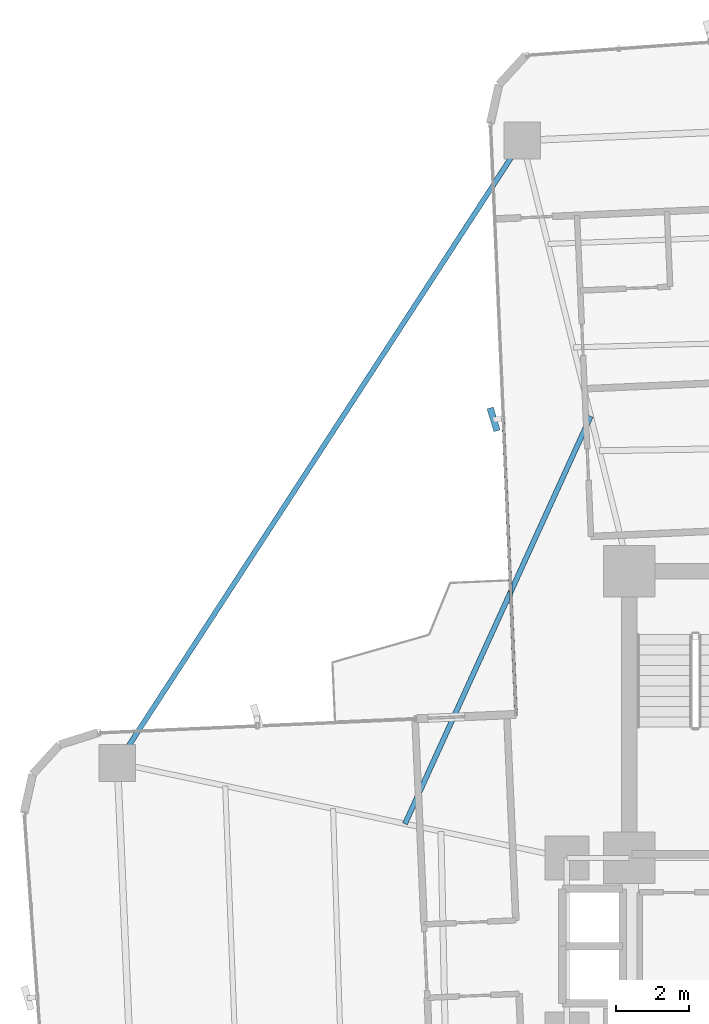
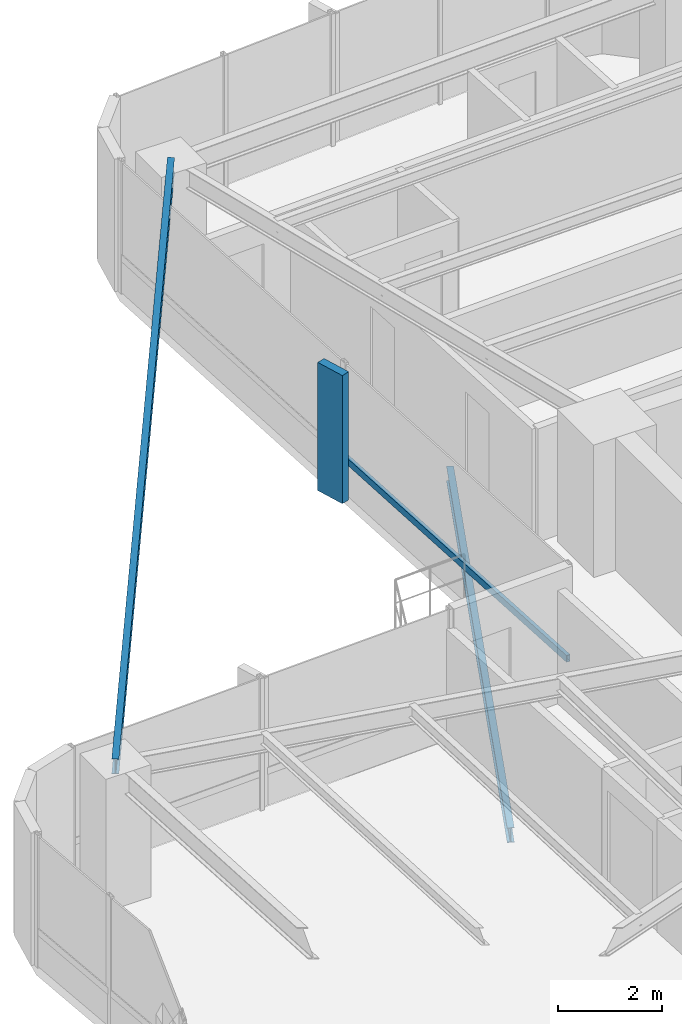
# One storey, part 16 of 26: 2 beams, 2 members, 1 element without a shape of its own.
"""IFC4 building model written with IfcOpenShell, lengths in metres."""

from ifc_helpers import new_model, si_unit, direction, frame, origin, origin_2d, place, context, subcontext, project, spatial, rectangle, hollow_rectangle, i_section, extrude, source, transform, mapped, material, material_profile, profile_set, type_object, element, aggregate, save


model = new_model("IFC4")

# Units and contexts
model_context = context("Model", 3, precision=1e-05, world=origin(), true_north=direction((0.0, 1.0)))
body_context = subcontext(model_context, "Body", "Model", "MODEL_VIEW")
ifc_project = project(units=[si_unit("LENGTHUNIT", "METRE"), si_unit("AREAUNIT", "SQUARE_METRE"), si_unit("VOLUMEUNIT", "CUBIC_METRE"), si_unit("PLANEANGLEUNIT", "RADIAN"), si_unit("MASSUNIT", "GRAM", prefix="KILO")], contexts=[model_context])

# Site, building, storey
site_placement = place(None, origin())
site = spatial("IfcSite", under=ifc_project, at=site_placement, CompositionType="ELEMENT")
building_placement = place(site_placement, origin())
building = spatial("IfcBuilding", under=site, at=building_placement, Name="Sahyath Konkavel Grand Hotel", CompositionType="ELEMENT")
storey_placement = place(building_placement, frame((0.0, 0.0, 118.14990234375)))
storey = spatial("IfcBuildingStorey", under=building, at=storey_placement, Name="L32", CompositionType="ELEMENT", Elevation=118.14990234375)

# Beam
ifc_material_1 = material(Name="Steel E350", Category="steel")
ifc_material_profile_1 = material_profile(ifc_material_1, i_section(OverallWidth=0.139892578125, OverallDepth=0.35009765625, WebThickness=0.008056640625, FlangeThickness=0.01416015625, FilletRadius=0.013916015625, at=origin_2d()), Name="ISMB 350")
ifc_profile_set_1 = profile_set([ifc_material_profile_1], Name="Steel E350")
beam_type_1 = type_object("IfcBeamType", Name="BM-ISMB350", PredefinedType="BEAM", material=ifc_profile_set_1)
shared_shape_1 = source(origin(), body_context, "Body", "SweptSolid", [
    extrude(i_section(OverallWidth=0.139892578125, OverallDepth=0.35009765625, WebThickness=0.008056640625, FlangeThickness=0.01416015625, FilletRadius=0.013916015625, at=origin_2d()), origin(), (0.0, 0.0, 1.0), 20.21533203125),
])
beam_1_placement = place(storey_placement, frame((-6.712890625, 21.927978515625, 2.93505859375), z_axis=(-0.545191244931, -0.838311700056, 0.0), x_axis=(0.838311700056, -0.545191244931, 0.0)))
element("IfcBeam", 1, at=beam_1_placement, inside=storey, type_object=beam_type_1, Name="L32 Re-Entrant Tie Beam NW", PredefinedType="BEAM", context=body_context, shape_type="MappedRepresentation", body=[
    mapped(shared_shape_1, transform((0.0, 0.0, 0.0), scale=1.0)),
])

# Curtain wall, members
ifc_material_2 = material(Name="Anodised Bronze Aluminium & Low-E Glazing", Category="aluminium")
curtain_wall_type = type_object("IfcCurtainWallType", Name="CW-ZONE2", PredefinedType="NOTDEFINED", material=ifc_material_2)
curtain_wall_placement = place(storey_placement, origin())
curtain_wall = element("IfcCurtainWall", 2, at=curtain_wall_placement, inside=storey, type_object=curtain_wall_type, Name="L32 Unitised Curtain Wall F15", PredefinedType="NOTDEFINED")
ifc_material_3 = material(Name="Warm Buff Sandstone Cladding on Concrete C50/60", Category="masonry")
ifc_material_profile_2 = material_profile(ifc_material_3, rectangle(XDim=0.179931640625, YDim=0.64990234375, at=origin_2d()), Name="FIN 180x650")
ifc_profile_set_2 = profile_set([ifc_material_profile_2], Name="Warm Buff Sandstone Cladding on Concrete C50/60")
member_type_1 = type_object("IfcMemberType", Name="FIN-SANDSTONE-650", PredefinedType="MULLION", material=ifc_profile_set_2)
shared_shape_2 = source(origin(), body_context, "Body", "SweptSolid", [
    extrude(rectangle(XDim=0.179931640625, YDim=0.64990234375, at=origin_2d()), origin(), (0.0, 0.0, 1.0), 3.010009765625),
])
member_1_placement = place(storey_placement, frame((-7.492431640625, 14.3369140625, 0.050048828125), z_axis=(0.0, 0.0, 1.0), x_axis=(0.957117481996, 0.289700061544, 0.0)))
member_1 = element("IfcMember", 3, at=member_1_placement, type_object=member_type_1, Name="L32 Sandstone Vertical Solar Fin FIN F15-1", PredefinedType="MULLION", context=body_context, shape_type="MappedRepresentation", body=[
    mapped(shared_shape_2, transform((0.0, 0.0, 0.0), scale=1.0)),
])
ifc_material_4 = material(Name="Anodised Bronze Aluminium", Category="aluminium")
ifc_material_profile_3 = material_profile(ifc_material_4, hollow_rectangle(XDim=0.080078125, YDim=0.159912109375, WallThickness=0.006103515625, at=origin_2d()), Name="RHS 160x80x6")
ifc_profile_set_3 = profile_set([ifc_material_profile_3], Name="Anodised Bronze Aluminium")
member_type_2 = type_object("IfcMemberType", Name="CW-TRN-160", PredefinedType="USERDEFINED", material=ifc_profile_set_3)
shared_shape_3 = source(origin(), body_context, "Body", "SweptSolid", [
    extrude(hollow_rectangle(XDim=0.080078125, YDim=0.159912109375, WallThickness=0.006103515625, at=origin_2d()), origin(), (0.0, 0.0, 1.0), 8.010009765625),
])
member_2_placement = place(storey_placement, frame((-7.232666015625, 14.34814453125, 0.85009765625), z_axis=(0.043615785896, -0.999048378819, 0.0), x_axis=(0.999048378819, 0.043615785896, 0.0)))
member_2 = element("IfcMember", 4, at=member_2_placement, type_object=member_type_2, Name="L32 Curtain Wall Transom F15-1-spandrel", ObjectType="TRANSOM", PredefinedType="USERDEFINED", context=body_context, shape_type="MappedRepresentation", body=[
    mapped(shared_shape_3, transform((0.0, 0.0, 0.0), scale=1.0)),
])
aggregate(curtain_wall, [member_1, member_2])

# Beam
ifc_material_profile_4 = material_profile(ifc_material_1, i_section(OverallWidth=0.139892578125, OverallDepth=0.35009765625, WebThickness=0.008056640625, FlangeThickness=0.01416015625, FilletRadius=0.013916015625, at=origin_2d()), Name="ISMB 350")
ifc_profile_set_4 = profile_set([ifc_material_profile_4], Name="Steel E350")
beam_type_2 = type_object("IfcBeamType", Name="BM-BALC-CANT", PredefinedType="BEAM", material=ifc_profile_set_4)
shared_shape_4 = source(origin(), body_context, "Body", "SweptSolid", [
    extrude(i_section(OverallWidth=0.139892578125, OverallDepth=0.35009765625, WebThickness=0.008056640625, FlangeThickness=0.01416015625, FilletRadius=0.013916015625, at=origin_2d()), origin(), (0.0, 0.0, 1.0), 12.190673828125),
])
beam_2_placement = place(storey_placement, frame((-4.8486328125, 14.422119140625, -0.414794921875), z_axis=(-0.414712580086, -0.909952458054, 0.0), x_axis=(0.909952458054, -0.414712580086, 0.0)))
element("IfcBeam", 5, at=beam_2_placement, inside=storey, type_object=beam_type_2, Name="L32 Balcony Cantilever Support Beam NW", PredefinedType="BEAM", context=body_context, shape_type="MappedRepresentation", body=[
    mapped(shared_shape_4, transform((0.0, 0.0, 0.0), scale=1.0)),
])

save(model, "model.ifc")
